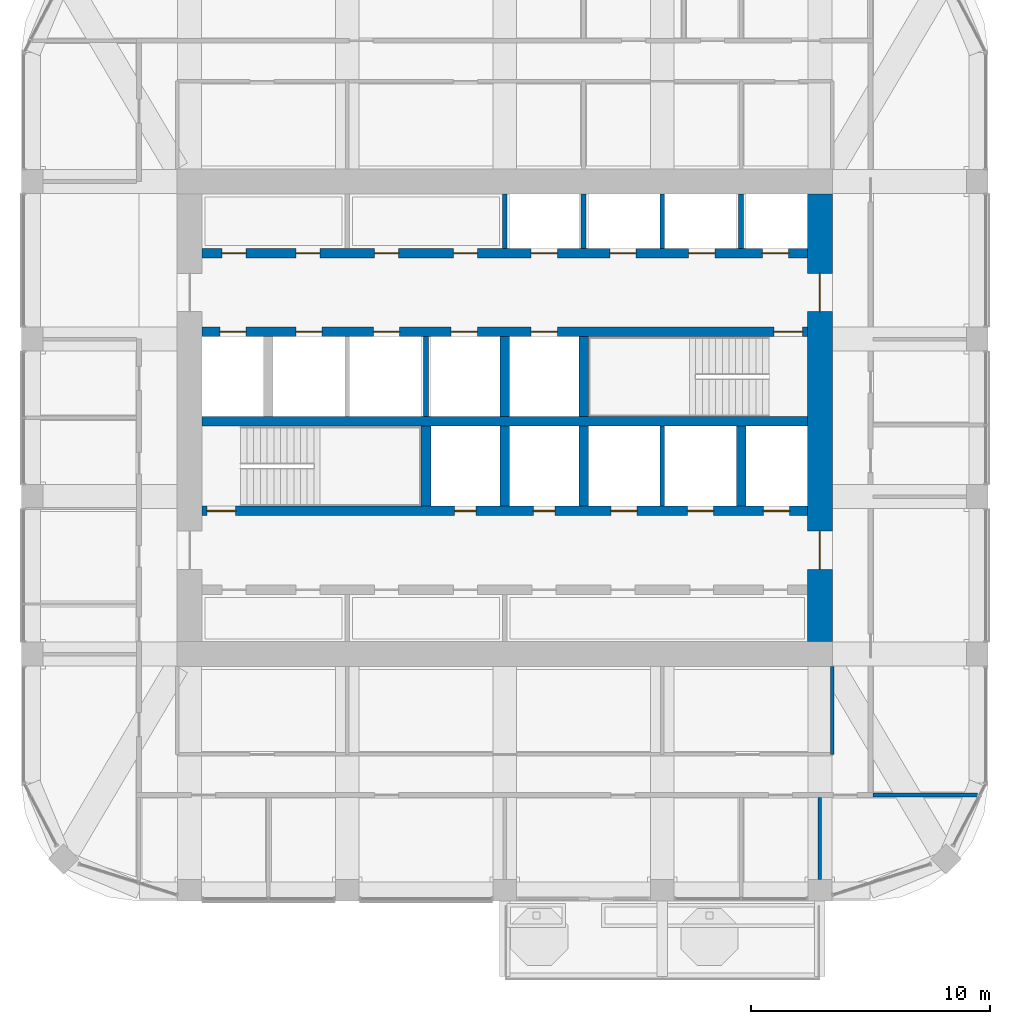
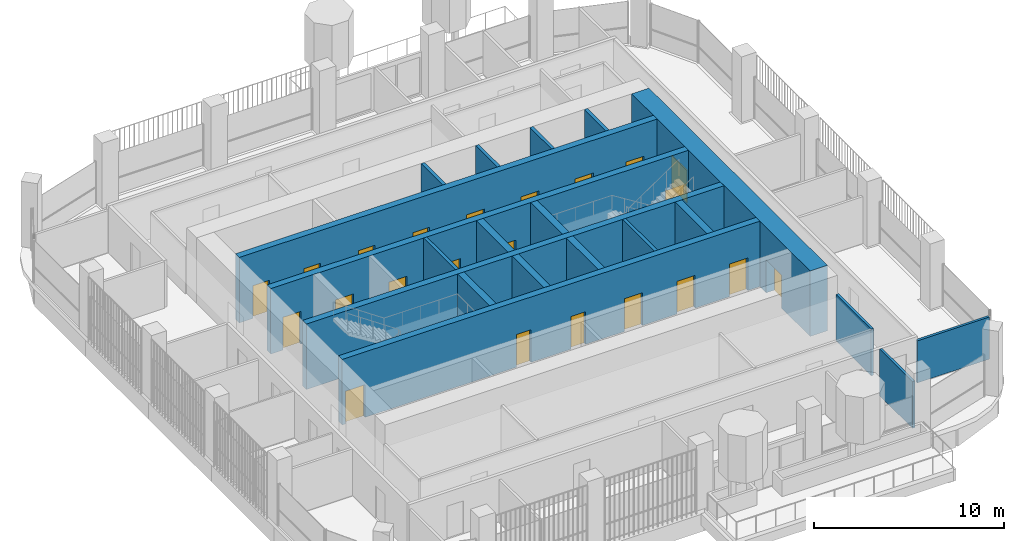
# One storey, part 15 of 21: 22 doors, 20 walls, 22 openings.
"""IFC4 building model written with IfcOpenShell, lengths in metres."""

from ifc_helpers import new_model, si_unit, direction, frame, frame_2d, origin, place, context, subcontext, project, spatial, rectangle, extrude, material, layer, layer_set, type_object, element, fill, save


model = new_model("IFC4")

# Units and contexts
model_context = context("Model", 3, precision=1e-05, world=origin(), true_north=direction((0.0, 1.0)))
body_context = subcontext(model_context, "Body", "Model", "MODEL_VIEW")
ifc_project = project(units=[si_unit("LENGTHUNIT", "METRE"), si_unit("AREAUNIT", "SQUARE_METRE"), si_unit("VOLUMEUNIT", "CUBIC_METRE"), si_unit("PLANEANGLEUNIT", "RADIAN"), si_unit("MASSUNIT", "GRAM", prefix="KILO")], contexts=[model_context])

# Site, building, storey
site_placement = place(None, origin())
site = spatial("IfcSite", under=ifc_project, at=site_placement, CompositionType="ELEMENT")
building_placement = place(site_placement, origin())
building = spatial("IfcBuilding", under=site, at=building_placement, Name="Cobogo Forest Laboratory Tower", CompositionType="ELEMENT")
storey_placement = place(building_placement, frame((0.0, 0.0, 283.800048828125)))
storey = spatial("IfcBuildingStorey", under=building, at=storey_placement, Name="L65", CompositionType="ELEMENT", Elevation=283.800048828125)

# Wall, openings, doors
ifc_material_1 = material(Name="Concrete HA-50 (C50/60)", Category="concrete")
ifc_layer_1 = layer(ifc_material_1, 0.39990234375)
ifc_layer_set_1 = layer_set([ifc_layer_1], Name="CI400 core inner wall 400")
wall_type_1 = type_object("IfcWallType", Name="CI400 core inner wall 400", PredefinedType="SHEAR", material=ifc_layer_set_1)
wall_1_placement = place(storey_placement, frame((13.72509765625, 19.199951171875, 0.0), z_axis=(0.0, 0.0, 1.0), x_axis=(1.0, 0.0, 0.0)))
wall_1 = element("IfcWall", 1, at=wall_1_placement, inside=storey, type_object=wall_type_1, Name="Core wall CI-19.2 L65", PredefinedType="SHEAR", context=body_context, shape_type="SweptSolid", body=[
    extrude(rectangle(XDim=25.349853515625, YDim=0.39990234375, at=frame_2d((12.6748046875, 0.0))), origin(), (0.0, 0.0, 1.0), 4.199951171875),
])
opening_1_placement = place(wall_1_placement, frame((10.574951171875, 0.0, 0.0)))
opening_1 = element("IfcOpeningElement", 2, at=opening_1_placement, cuts=wall_1, Name="Opening L65-D25", PredefinedType="OPENING", context=body_context, shape_type="SweptSolid", body=[
    extrude(rectangle(XDim=0.89990234375, YDim=2.10009765625, at=frame_2d((0.449951171875, 1.050048828125))), frame((0.0, 0.2099609375, 0.0), z_axis=(0.0, -1.0, 0.0), x_axis=(1.0, 0.0, 0.0)), (0.0, 0.0, 1.0), 0.419921875),
])
opening_2_placement = place(wall_1_placement, frame((13.875, 0.0, 0.0)))
opening_2 = element("IfcOpeningElement", 3, at=opening_2_placement, cuts=wall_1, Name="Opening L65-D26", PredefinedType="OPENING", context=body_context, shape_type="SweptSolid", body=[
    extrude(rectangle(XDim=0.89990234375, YDim=2.10009765625, at=frame_2d((0.449951171875, 1.050048828125))), frame((0.0, 0.2099609375, 0.0), z_axis=(0.0, -1.0, 0.0), x_axis=(1.0, 0.0, 0.0)), (0.0, 0.0, 1.0), 0.419921875),
])
opening_3_placement = place(wall_1_placement, frame((0.199951171875, 0.0, 0.0)))
opening_3 = element("IfcOpeningElement", 4, at=opening_3_placement, cuts=wall_1, Name="Opening L65-D24", PredefinedType="OPENING", context=body_context, shape_type="SweptSolid", body=[
    extrude(rectangle(XDim=1.199951171875, YDim=2.10009765625, at=frame_2d((0.60009765625, 1.050048828125))), frame((0.0, 0.2099609375, 0.0), z_axis=(0.0, -1.0, 0.0), x_axis=(1.0, 0.0, 0.0)), (0.0, 0.0, 1.0), 0.419921875),
])
opening_4_placement = place(wall_1_placement, frame((23.512451171875, 0.0, 0.0)))
opening_4 = element("IfcOpeningElement", 5, at=opening_4_placement, cuts=wall_1, Name="Opening L65-LD-FL2", PredefinedType="OPENING", context=body_context, shape_type="SweptSolid", body=[
    extrude(rectangle(XDim=1.10009765625, YDim=2.10009765625, at=frame_2d((0.550048828125, 1.050048828125))), frame((0.0, 0.2099609375, 0.0), z_axis=(0.0, -1.0, 0.0), x_axis=(1.0, 0.0, 0.0)), (0.0, 0.0, 1.0), 0.419921875),
])
opening_5_placement = place(wall_1_placement, frame((17.125, 0.0, 0.0)))
opening_5 = element("IfcOpeningElement", 6, at=opening_5_placement, cuts=wall_1, Name="Opening L65-LD-LS1", PredefinedType="OPENING", context=body_context, shape_type="SweptSolid", body=[
    extrude(rectangle(XDim=1.10009765625, YDim=2.10009765625, at=frame_2d((0.550048828125, 1.050048828125))), frame((0.0, 0.2099609375, 0.0), z_axis=(0.0, -1.0, 0.0), x_axis=(1.0, 0.0, 0.0)), (0.0, 0.0, 1.0), 0.419921875),
])
opening_6_placement = place(wall_1_placement, frame((20.324951171875, 0.0, 0.0)))
opening_6 = element("IfcOpeningElement", 7, at=opening_6_placement, cuts=wall_1, Name="Opening L65-LD-LS2", PredefinedType="OPENING", context=body_context, shape_type="SweptSolid", body=[
    extrude(rectangle(XDim=1.10009765625, YDim=2.10009765625, at=frame_2d((0.550048828125, 1.050048828125))), frame((0.0, 0.2099609375, 0.0), z_axis=(0.0, -1.0, 0.0), x_axis=(1.0, 0.0, 0.0)), (0.0, 0.0, 1.0), 0.419921875),
])
ifc_material_2 = material(Name="Steel fire door", Category="steel")
door_type_1 = type_object("IfcDoorType", Name="DS1 protected stair door 1200 EI2 60", OperationType="SINGLE_SWING_LEFT", PredefinedType="DOOR", material=ifc_material_2)
door_1_placement = place(opening_3_placement, origin())
door_1 = element("IfcDoor", 8, at=door_1_placement, inside=storey, type_object=door_type_1, Name="Door L65-ST1", OperationType="SINGLE_SWING_LEFT", OverallHeight=2.10009765625, OverallWidth=1.199951171875, PredefinedType="DOOR", context=body_context, shape_type="SweptSolid", body=[
    extrude(rectangle(XDim=1.199951171875, YDim=2.10009765625, at=frame_2d((0.60009765625, 1.050048828125))), frame((0.0, 0.02490234375, 0.0), z_axis=(0.0, -1.0, 0.0), x_axis=(1.0, 0.0, 0.0)), (0.0, 0.0, 1.0), 0.050048828125),
])
fill(opening_3, door_1)
door_type_2 = type_object("IfcDoorType", Name="FD4 riser access door 900 EI2 60", OperationType="SINGLE_SWING_LEFT", PredefinedType="DOOR", material=ifc_material_2)
door_2_placement = place(opening_1_placement, origin())
door_2 = element("IfcDoor", 9, at=door_2_placement, inside=storey, type_object=door_type_2, Name="Door L65-R1", OperationType="SINGLE_SWING_LEFT", OverallHeight=2.10009765625, OverallWidth=0.89990234375, PredefinedType="DOOR", context=body_context, shape_type="SweptSolid", body=[
    extrude(rectangle(XDim=0.89990234375, YDim=2.10009765625, at=frame_2d((0.449951171875, 1.050048828125))), frame((0.0, 0.02490234375, 0.0), z_axis=(0.0, -1.0, 0.0), x_axis=(1.0, 0.0, 0.0)), (0.0, 0.0, 1.0), 0.050048828125),
])
fill(opening_1, door_2)
door_3_placement = place(opening_2_placement, origin())
door_3 = element("IfcDoor", 10, at=door_3_placement, inside=storey, type_object=door_type_2, Name="Door L65-R2", OperationType="SINGLE_SWING_RIGHT", OverallHeight=2.10009765625, OverallWidth=0.89990234375, PredefinedType="DOOR", context=body_context, shape_type="SweptSolid", body=[
    extrude(rectangle(XDim=0.89990234375, YDim=2.10009765625, at=frame_2d((0.449951171875, 1.050048828125))), frame((0.0, 0.02490234375, 0.0), z_axis=(0.0, -1.0, 0.0), x_axis=(1.0, 0.0, 0.0)), (0.0, 0.0, 1.0), 0.050048828125),
])
fill(opening_2, door_3)
ifc_material_3 = material(Name="Stainless steel lift door", Category="steel")
door_type_3 = type_object("IfcDoorType", Name="LD lift landing door 1100", OperationType="DOUBLE_DOOR_SLIDING", PredefinedType="DOOR", material=ifc_material_3)
door_4_placement = place(opening_4_placement, origin())
door_4 = element("IfcDoor", 11, at=door_4_placement, inside=storey, type_object=door_type_3, Name="Lift landing door FL2 L65", OperationType="DOUBLE_DOOR_SLIDING", OverallHeight=2.10009765625, OverallWidth=1.10009765625, PredefinedType="DOOR", context=body_context, shape_type="SweptSolid", body=[
    extrude(rectangle(XDim=1.10009765625, YDim=2.10009765625, at=frame_2d((0.550048828125, 1.050048828125))), frame((0.0, 0.02490234375, 0.0), z_axis=(0.0, -1.0, 0.0), x_axis=(1.0, 0.0, 0.0)), (0.0, 0.0, 1.0), 0.050048828125),
])
fill(opening_4, door_4)
door_5_placement = place(opening_5_placement, origin())
door_5 = element("IfcDoor", 12, at=door_5_placement, inside=storey, type_object=door_type_3, Name="Lift landing door LS1 L65", OperationType="DOUBLE_DOOR_SLIDING", OverallHeight=2.10009765625, OverallWidth=1.10009765625, PredefinedType="DOOR", context=body_context, shape_type="SweptSolid", body=[
    extrude(rectangle(XDim=1.10009765625, YDim=2.10009765625, at=frame_2d((0.550048828125, 1.050048828125))), frame((0.0, 0.02490234375, 0.0), z_axis=(0.0, -1.0, 0.0), x_axis=(1.0, 0.0, 0.0)), (0.0, 0.0, 1.0), 0.050048828125),
])
fill(opening_5, door_5)
door_6_placement = place(opening_6_placement, origin())
door_6 = element("IfcDoor", 13, at=door_6_placement, inside=storey, type_object=door_type_3, Name="Lift landing door LS2 L65", OperationType="DOUBLE_DOOR_SLIDING", OverallHeight=2.10009765625, OverallWidth=1.10009765625, PredefinedType="DOOR", context=body_context, shape_type="SweptSolid", body=[
    extrude(rectangle(XDim=1.10009765625, YDim=2.10009765625, at=frame_2d((0.550048828125, 1.050048828125))), frame((0.0, 0.02490234375, 0.0), z_axis=(0.0, -1.0, 0.0), x_axis=(1.0, 0.0, 0.0)), (0.0, 0.0, 1.0), 0.050048828125),
])
fill(opening_6, door_6)

# Wall
wall_2_placement = place(storey_placement, frame((13.72509765625, 22.949951171875, 0.0), z_axis=(0.0, 0.0, 1.0), x_axis=(1.0, 0.0, 0.0)))
element("IfcWall", 14, at=wall_2_placement, inside=storey, type_object=wall_type_1, Name="Core wall CI-22.95 L65", PredefinedType="SHEAR", context=body_context, shape_type="SweptSolid", body=[
    extrude(rectangle(XDim=25.349853515625, YDim=0.39990234375, at=frame_2d((12.6748046875, 0.0))), origin(), (0.0, 0.0, 1.0), 4.199951171875),
])

# Wall, openings, doors
wall_3_placement = place(storey_placement, frame((13.72509765625, 26.699951171875, 0.0), z_axis=(0.0, 0.0, 1.0), x_axis=(1.0, 0.0, 0.0)))
wall_3 = element("IfcWall", 15, at=wall_3_placement, inside=storey, type_object=wall_type_1, Name="Core wall CI-26.7 L65", PredefinedType="SHEAR", context=body_context, shape_type="SweptSolid", body=[
    extrude(rectangle(XDim=25.349853515625, YDim=0.39990234375, at=frame_2d((12.6748046875, 0.0))), origin(), (0.0, 0.0, 1.0), 4.199951171875),
])
opening_7_placement = place(wall_3_placement, frame((23.949951171875, 0.0, 0.0)))
opening_7 = element("IfcOpeningElement", 16, at=opening_7_placement, cuts=wall_3, Name="Opening L65-D31", PredefinedType="OPENING", context=body_context, shape_type="SweptSolid", body=[
    extrude(rectangle(XDim=1.199951171875, YDim=2.10009765625, at=frame_2d((0.60009765625, 1.050048828125))), frame((0.0, 0.2099609375, 0.0), z_axis=(0.0, -1.0, 0.0), x_axis=(1.0, 0.0, 0.0)), (0.0, 0.0, 1.0), 0.419921875),
])
opening_8_placement = place(wall_3_placement, frame((0.737548828125, 0.0, 0.0)))
opening_8 = element("IfcOpeningElement", 17, at=opening_8_placement, cuts=wall_3, Name="Opening L65-LD-FL1", PredefinedType="OPENING", context=body_context, shape_type="SweptSolid", body=[
    extrude(rectangle(XDim=1.10009765625, YDim=2.10009765625, at=frame_2d((0.550048828125, 1.050048828125))), frame((0.0, 0.2099609375, 0.0), z_axis=(0.0, -1.0, 0.0), x_axis=(1.0, 0.0, 0.0)), (0.0, 0.0, 1.0), 0.419921875),
])
opening_9_placement = place(wall_3_placement, frame((3.925048828125, 0.0, 0.0)))
opening_9 = element("IfcOpeningElement", 18, at=opening_9_placement, cuts=wall_3, Name="Opening L65-LD-LS3", PredefinedType="OPENING", context=body_context, shape_type="SweptSolid", body=[
    extrude(rectangle(XDim=1.10009765625, YDim=2.10009765625, at=frame_2d((0.550048828125, 1.050048828125))), frame((0.0, 0.2099609375, 0.0), z_axis=(0.0, -1.0, 0.0), x_axis=(1.0, 0.0, 0.0)), (0.0, 0.0, 1.0), 0.419921875),
])
opening_10_placement = place(wall_3_placement, frame((7.175048828125, 0.0, 0.0)))
opening_10 = element("IfcOpeningElement", 19, at=opening_10_placement, cuts=wall_3, Name="Opening L65-LD-LS4", PredefinedType="OPENING", context=body_context, shape_type="SweptSolid", body=[
    extrude(rectangle(XDim=1.10009765625, YDim=2.10009765625, at=frame_2d((0.550048828125, 1.050048828125))), frame((0.0, 0.2099609375, 0.0), z_axis=(0.0, -1.0, 0.0), x_axis=(1.0, 0.0, 0.0)), (0.0, 0.0, 1.0), 0.419921875),
])
opening_11_placement = place(wall_3_placement, frame((10.425048828125, 0.0, 0.0)))
opening_11 = element("IfcOpeningElement", 20, at=opening_11_placement, cuts=wall_3, Name="Opening L65-LD-LS5", PredefinedType="OPENING", context=body_context, shape_type="SweptSolid", body=[
    extrude(rectangle(XDim=1.10009765625, YDim=2.10009765625, at=frame_2d((0.550048828125, 1.050048828125))), frame((0.0, 0.2099609375, 0.0), z_axis=(0.0, -1.0, 0.0), x_axis=(1.0, 0.0, 0.0)), (0.0, 0.0, 1.0), 0.419921875),
])
opening_12_placement = place(wall_3_placement, frame((13.77490234375, 0.0, 0.0)))
opening_12 = element("IfcOpeningElement", 21, at=opening_12_placement, cuts=wall_3, Name="Opening L65-LD-LS6", PredefinedType="OPENING", context=body_context, shape_type="SweptSolid", body=[
    extrude(rectangle(XDim=1.10009765625, YDim=2.10009765625, at=frame_2d((0.550048828125, 1.050048828125))), frame((0.0, 0.2099609375, 0.0), z_axis=(0.0, -1.0, 0.0), x_axis=(1.0, 0.0, 0.0)), (0.0, 0.0, 1.0), 0.419921875),
])
door_7_placement = place(opening_7_placement, origin())
door_7 = element("IfcDoor", 22, at=door_7_placement, inside=storey, type_object=door_type_1, Name="Door L65-ST2", OperationType="SINGLE_SWING_RIGHT", OverallHeight=2.10009765625, OverallWidth=1.199951171875, PredefinedType="DOOR", context=body_context, shape_type="SweptSolid", body=[
    extrude(rectangle(XDim=1.199951171875, YDim=2.10009765625, at=frame_2d((0.60009765625, 1.050048828125))), frame((0.0, 0.02490234375, 0.0), z_axis=(0.0, -1.0, 0.0), x_axis=(1.0, 0.0, 0.0)), (0.0, 0.0, 1.0), 0.050048828125),
])
fill(opening_7, door_7)
door_8_placement = place(opening_8_placement, origin())
door_8 = element("IfcDoor", 23, at=door_8_placement, inside=storey, type_object=door_type_3, Name="Lift landing door FL1 L65", OperationType="DOUBLE_DOOR_SLIDING", OverallHeight=2.10009765625, OverallWidth=1.10009765625, PredefinedType="DOOR", context=body_context, shape_type="SweptSolid", body=[
    extrude(rectangle(XDim=1.10009765625, YDim=2.10009765625, at=frame_2d((0.550048828125, 1.050048828125))), frame((0.0, 0.02490234375, 0.0), z_axis=(0.0, -1.0, 0.0), x_axis=(1.0, 0.0, 0.0)), (0.0, 0.0, 1.0), 0.050048828125),
])
fill(opening_8, door_8)
door_9_placement = place(opening_9_placement, origin())
door_9 = element("IfcDoor", 24, at=door_9_placement, inside=storey, type_object=door_type_3, Name="Lift landing door LS3 L65", OperationType="DOUBLE_DOOR_SLIDING", OverallHeight=2.10009765625, OverallWidth=1.10009765625, PredefinedType="DOOR", context=body_context, shape_type="SweptSolid", body=[
    extrude(rectangle(XDim=1.10009765625, YDim=2.10009765625, at=frame_2d((0.550048828125, 1.050048828125))), frame((0.0, 0.02490234375, 0.0), z_axis=(0.0, -1.0, 0.0), x_axis=(1.0, 0.0, 0.0)), (0.0, 0.0, 1.0), 0.050048828125),
])
fill(opening_9, door_9)
door_10_placement = place(opening_10_placement, origin())
door_10 = element("IfcDoor", 25, at=door_10_placement, inside=storey, type_object=door_type_3, Name="Lift landing door LS4 L65", OperationType="DOUBLE_DOOR_SLIDING", OverallHeight=2.10009765625, OverallWidth=1.10009765625, PredefinedType="DOOR", context=body_context, shape_type="SweptSolid", body=[
    extrude(rectangle(XDim=1.10009765625, YDim=2.10009765625, at=frame_2d((0.550048828125, 1.050048828125))), frame((0.0, 0.02490234375, 0.0), z_axis=(0.0, -1.0, 0.0), x_axis=(1.0, 0.0, 0.0)), (0.0, 0.0, 1.0), 0.050048828125),
])
fill(opening_10, door_10)
door_11_placement = place(opening_11_placement, origin())
door_11 = element("IfcDoor", 26, at=door_11_placement, inside=storey, type_object=door_type_3, Name="Lift landing door LS5 L65", OperationType="DOUBLE_DOOR_SLIDING", OverallHeight=2.10009765625, OverallWidth=1.10009765625, PredefinedType="DOOR", context=body_context, shape_type="SweptSolid", body=[
    extrude(rectangle(XDim=1.10009765625, YDim=2.10009765625, at=frame_2d((0.550048828125, 1.050048828125))), frame((0.0, 0.02490234375, 0.0), z_axis=(0.0, -1.0, 0.0), x_axis=(1.0, 0.0, 0.0)), (0.0, 0.0, 1.0), 0.050048828125),
])
fill(opening_11, door_11)
door_12_placement = place(opening_12_placement, origin())
door_12 = element("IfcDoor", 27, at=door_12_placement, inside=storey, type_object=door_type_3, Name="Lift landing door LS6 L65", OperationType="DOUBLE_DOOR_SLIDING", OverallHeight=2.10009765625, OverallWidth=1.10009765625, PredefinedType="DOOR", context=body_context, shape_type="SweptSolid", body=[
    extrude(rectangle(XDim=1.10009765625, YDim=2.10009765625, at=frame_2d((0.550048828125, 1.050048828125))), frame((0.0, 0.02490234375, 0.0), z_axis=(0.0, -1.0, 0.0), x_axis=(1.0, 0.0, 0.0)), (0.0, 0.0, 1.0), 0.050048828125),
])
fill(opening_12, door_12)

wall_4_placement = place(storey_placement, frame((13.72509765625, 30.0, 0.0), z_axis=(0.0, 0.0, 1.0), x_axis=(1.0, 0.0, 0.0)))
wall_4 = element("IfcWall", 28, at=wall_4_placement, inside=storey, type_object=wall_type_1, Name="Core wall CI-30.0 L65", PredefinedType="SHEAR", context=body_context, shape_type="SweptSolid", body=[
    extrude(rectangle(XDim=25.349853515625, YDim=0.39990234375, at=frame_2d((12.6748046875, 0.0))), origin(), (0.0, 0.0, 1.0), 4.199951171875),
])
opening_13_placement = place(wall_4_placement, frame((0.83740234375, 0.0, 0.0)))
opening_13 = element("IfcOpeningElement", 29, at=opening_13_placement, cuts=wall_4, Name="Opening L65-D34", PredefinedType="OPENING", context=body_context, shape_type="SweptSolid", body=[
    extrude(rectangle(XDim=1.0, YDim=2.10009765625, at=frame_2d((0.5, 1.050048828125))), frame((0.0, 0.2099609375, 0.0), z_axis=(0.0, -1.0, 0.0), x_axis=(1.0, 0.0, 0.0)), (0.0, 0.0, 1.0), 0.419921875),
])
opening_14_placement = place(wall_4_placement, frame((3.925048828125, 0.0, 0.0)))
opening_14 = element("IfcOpeningElement", 30, at=opening_14_placement, cuts=wall_4, Name="Opening L65-D35", PredefinedType="OPENING", context=body_context, shape_type="SweptSolid", body=[
    extrude(rectangle(XDim=1.0, YDim=2.10009765625, at=frame_2d((0.5, 1.050048828125))), frame((0.0, 0.2099609375, 0.0), z_axis=(0.0, -1.0, 0.0), x_axis=(1.0, 0.0, 0.0)), (0.0, 0.0, 1.0), 0.419921875),
])
opening_15_placement = place(wall_4_placement, frame((7.22509765625, 0.0, 0.0)))
opening_15 = element("IfcOpeningElement", 31, at=opening_15_placement, cuts=wall_4, Name="Opening L65-D36", PredefinedType="OPENING", context=body_context, shape_type="SweptSolid", body=[
    extrude(rectangle(XDim=1.0, YDim=2.10009765625, at=frame_2d((0.5, 1.050048828125))), frame((0.0, 0.2099609375, 0.0), z_axis=(0.0, -1.0, 0.0), x_axis=(1.0, 0.0, 0.0)), (0.0, 0.0, 1.0), 0.419921875),
])
opening_16_placement = place(wall_4_placement, frame((10.52490234375, 0.0, 0.0)))
opening_16 = element("IfcOpeningElement", 32, at=opening_16_placement, cuts=wall_4, Name="Opening L65-D37", PredefinedType="OPENING", context=body_context, shape_type="SweptSolid", body=[
    extrude(rectangle(XDim=1.0, YDim=2.10009765625, at=frame_2d((0.5, 1.050048828125))), frame((0.0, 0.2099609375, 0.0), z_axis=(0.0, -1.0, 0.0), x_axis=(1.0, 0.0, 0.0)), (0.0, 0.0, 1.0), 0.419921875),
])
opening_17_placement = place(wall_4_placement, frame((13.77490234375, 0.0, 0.0)))
opening_17 = element("IfcOpeningElement", 33, at=opening_17_placement, cuts=wall_4, Name="Opening L65-LD-LD1", PredefinedType="OPENING", context=body_context, shape_type="SweptSolid", body=[
    extrude(rectangle(XDim=1.10009765625, YDim=2.10009765625, at=frame_2d((0.550048828125, 1.050048828125))), frame((0.0, 0.2099609375, 0.0), z_axis=(0.0, -1.0, 0.0), x_axis=(1.0, 0.0, 0.0)), (0.0, 0.0, 1.0), 0.419921875),
])
opening_18_placement = place(wall_4_placement, frame((17.074951171875, 0.0, 0.0)))
opening_18 = element("IfcOpeningElement", 34, at=opening_18_placement, cuts=wall_4, Name="Opening L65-LD-LD2", PredefinedType="OPENING", context=body_context, shape_type="SweptSolid", body=[
    extrude(rectangle(XDim=1.10009765625, YDim=2.10009765625, at=frame_2d((0.550048828125, 1.050048828125))), frame((0.0, 0.2099609375, 0.0), z_axis=(0.0, -1.0, 0.0), x_axis=(1.0, 0.0, 0.0)), (0.0, 0.0, 1.0), 0.419921875),
])
opening_19_placement = place(wall_4_placement, frame((20.375, 0.0, 0.0)))
opening_19 = element("IfcOpeningElement", 35, at=opening_19_placement, cuts=wall_4, Name="Opening L65-LD-LD3", PredefinedType="OPENING", context=body_context, shape_type="SweptSolid", body=[
    extrude(rectangle(XDim=1.10009765625, YDim=2.10009765625, at=frame_2d((0.550048828125, 1.050048828125))), frame((0.0, 0.2099609375, 0.0), z_axis=(0.0, -1.0, 0.0), x_axis=(1.0, 0.0, 0.0)), (0.0, 0.0, 1.0), 0.419921875),
])
opening_20_placement = place(wall_4_placement, frame((23.46240234375, 0.0, 0.0)))
opening_20 = element("IfcOpeningElement", 36, at=opening_20_placement, cuts=wall_4, Name="Opening L65-LD-LD4", PredefinedType="OPENING", context=body_context, shape_type="SweptSolid", body=[
    extrude(rectangle(XDim=1.10009765625, YDim=2.10009765625, at=frame_2d((0.550048828125, 1.050048828125))), frame((0.0, 0.2099609375, 0.0), z_axis=(0.0, -1.0, 0.0), x_axis=(1.0, 0.0, 0.0)), (0.0, 0.0, 1.0), 0.419921875),
])
door_type_4 = type_object("IfcDoorType", Name="FD1 fire door 1000 EI2 60", OperationType="SINGLE_SWING_LEFT", PredefinedType="DOOR", material=ifc_material_2)
door_13_placement = place(opening_13_placement, origin())
door_13 = element("IfcDoor", 37, at=door_13_placement, inside=storey, type_object=door_type_4, Name="Door L65-SH-LC1", OperationType="SINGLE_SWING_LEFT", OverallHeight=2.10009765625, OverallWidth=1.0, PredefinedType="DOOR", context=body_context, shape_type="SweptSolid", body=[
    extrude(rectangle(XDim=1.0, YDim=2.10009765625, at=frame_2d((0.5, 1.050048828125))), frame((0.0, 0.02490234375, 0.0), z_axis=(0.0, -1.0, 0.0), x_axis=(1.0, 0.0, 0.0)), (0.0, 0.0, 1.0), 0.050048828125),
])
fill(opening_13, door_13)
door_14_placement = place(opening_14_placement, origin())
door_14 = element("IfcDoor", 38, at=door_14_placement, inside=storey, type_object=door_type_4, Name="Door L65-SH-LC2", OperationType="SINGLE_SWING_LEFT", OverallHeight=2.10009765625, OverallWidth=1.0, PredefinedType="DOOR", context=body_context, shape_type="SweptSolid", body=[
    extrude(rectangle(XDim=1.0, YDim=2.10009765625, at=frame_2d((0.5, 1.050048828125))), frame((0.0, 0.02490234375, 0.0), z_axis=(0.0, -1.0, 0.0), x_axis=(1.0, 0.0, 0.0)), (0.0, 0.0, 1.0), 0.050048828125),
])
fill(opening_14, door_14)
door_15_placement = place(opening_15_placement, origin())
door_15 = element("IfcDoor", 39, at=door_15_placement, inside=storey, type_object=door_type_4, Name="Door L65-SH-LC3", OperationType="SINGLE_SWING_LEFT", OverallHeight=2.10009765625, OverallWidth=1.0, PredefinedType="DOOR", context=body_context, shape_type="SweptSolid", body=[
    extrude(rectangle(XDim=1.0, YDim=2.10009765625, at=frame_2d((0.5, 1.050048828125))), frame((0.0, 0.02490234375, 0.0), z_axis=(0.0, -1.0, 0.0), x_axis=(1.0, 0.0, 0.0)), (0.0, 0.0, 1.0), 0.050048828125),
])
fill(opening_15, door_15)
door_16_placement = place(opening_16_placement, origin())
door_16 = element("IfcDoor", 40, at=door_16_placement, inside=storey, type_object=door_type_4, Name="Door L65-SH-LC4", OperationType="SINGLE_SWING_LEFT", OverallHeight=2.10009765625, OverallWidth=1.0, PredefinedType="DOOR", context=body_context, shape_type="SweptSolid", body=[
    extrude(rectangle(XDim=1.0, YDim=2.10009765625, at=frame_2d((0.5, 1.050048828125))), frame((0.0, 0.02490234375, 0.0), z_axis=(0.0, -1.0, 0.0), x_axis=(1.0, 0.0, 0.0)), (0.0, 0.0, 1.0), 0.050048828125),
])
fill(opening_16, door_16)
door_17_placement = place(opening_17_placement, origin())
door_17 = element("IfcDoor", 41, at=door_17_placement, inside=storey, type_object=door_type_3, Name="Lift landing door LD1 L65", OperationType="DOUBLE_DOOR_SLIDING", OverallHeight=2.10009765625, OverallWidth=1.10009765625, PredefinedType="DOOR", context=body_context, shape_type="SweptSolid", body=[
    extrude(rectangle(XDim=1.10009765625, YDim=2.10009765625, at=frame_2d((0.550048828125, 1.050048828125))), frame((0.0, 0.02490234375, 0.0), z_axis=(0.0, -1.0, 0.0), x_axis=(1.0, 0.0, 0.0)), (0.0, 0.0, 1.0), 0.050048828125),
])
fill(opening_17, door_17)
door_18_placement = place(opening_18_placement, origin())
door_18 = element("IfcDoor", 42, at=door_18_placement, inside=storey, type_object=door_type_3, Name="Lift landing door LD2 L65", OperationType="DOUBLE_DOOR_SLIDING", OverallHeight=2.10009765625, OverallWidth=1.10009765625, PredefinedType="DOOR", context=body_context, shape_type="SweptSolid", body=[
    extrude(rectangle(XDim=1.10009765625, YDim=2.10009765625, at=frame_2d((0.550048828125, 1.050048828125))), frame((0.0, 0.02490234375, 0.0), z_axis=(0.0, -1.0, 0.0), x_axis=(1.0, 0.0, 0.0)), (0.0, 0.0, 1.0), 0.050048828125),
])
fill(opening_18, door_18)
door_19_placement = place(opening_19_placement, origin())
door_19 = element("IfcDoor", 43, at=door_19_placement, inside=storey, type_object=door_type_3, Name="Lift landing door LD3 L65", OperationType="DOUBLE_DOOR_SLIDING", OverallHeight=2.10009765625, OverallWidth=1.10009765625, PredefinedType="DOOR", context=body_context, shape_type="SweptSolid", body=[
    extrude(rectangle(XDim=1.10009765625, YDim=2.10009765625, at=frame_2d((0.550048828125, 1.050048828125))), frame((0.0, 0.02490234375, 0.0), z_axis=(0.0, -1.0, 0.0), x_axis=(1.0, 0.0, 0.0)), (0.0, 0.0, 1.0), 0.050048828125),
])
fill(opening_19, door_19)
door_20_placement = place(opening_20_placement, origin())
door_20 = element("IfcDoor", 44, at=door_20_placement, inside=storey, type_object=door_type_3, Name="Lift landing door LD4 L65", OperationType="DOUBLE_DOOR_SLIDING", OverallHeight=2.10009765625, OverallWidth=1.10009765625, PredefinedType="DOOR", context=body_context, shape_type="SweptSolid", body=[
    extrude(rectangle(XDim=1.10009765625, YDim=2.10009765625, at=frame_2d((0.550048828125, 1.050048828125))), frame((0.0, 0.02490234375, 0.0), z_axis=(0.0, -1.0, 0.0), x_axis=(1.0, 0.0, 0.0)), (0.0, 0.0, 1.0), 0.050048828125),
])
fill(opening_20, door_20)

# Walls
for number, where, z_axis, x_axis, name in (
    (45, (23.10009765625, 19.39990234375, 0.0), (0.0, 0.0, 1.0), (0.0, 1.0, 0.0), "Core wall CX-23.1 L65"),
    (46, (26.39990234375, 19.39990234375, 0.0), (0.0, 0.0, 1.0), (0.0, 1.0, 0.0), "Core wall CX-26.4S L65"),
    (47, (29.699951171875, 19.39990234375, 0.0), (0.0, 0.0, 1.0), (0.0, 1.0, 0.0), "Core wall CX-29.7S L65"),
    (48, (36.300048828125, 19.39990234375, 0.0), (0.0, 0.0, 1.0), (0.0, 1.0, 0.0), "Core wall CX-36.3 L65"),
    (49, (26.39990234375, 23.14990234375, 0.0), (0.0, 0.0, 1.0), (0.0, 1.0, 0.0), "Core wall CX-26.4N L65"),
    (50, (29.699951171875, 23.14990234375, 0.0), (0.0, 0.0, 1.0), (0.0, 1.0, 0.0), "Core wall CX-29.7N L65"),
):
    element("IfcWall", number, at=place(storey_placement, frame(where, z_axis=z_axis, x_axis=x_axis)), inside=storey, type_object=wall_type_1, Name=name, PredefinedType="SHEAR", context=body_context, shape_type="SweptSolid", body=[
        extrude(rectangle(XDim=3.35009765625, YDim=0.39990234375, at=frame_2d((1.675048828125, 0.0))), origin(), (0.0, 0.0, 1.0), 4.199951171875),
    ])

# Wall, openings, doors
ifc_layer_2 = layer(ifc_material_1, 1.050048828125)
ifc_layer_set_2 = layer_set([ifc_layer_2], Name="CW1050 core outer wall 1050")
wall_type_2 = type_object("IfcWallType", Name="CW1050 core outer wall 1050", PredefinedType="SHEAR", material=ifc_layer_set_2)
wall_5_placement = place(storey_placement, frame((39.60009765625, 13.72509765625, 0.0), z_axis=(0.0, 0.0, 1.0), x_axis=(0.0, 1.0, 0.0)))
wall_5 = element("IfcWall", 51, at=wall_5_placement, inside=storey, type_object=wall_type_2, Name="Core wall CO-E L65", PredefinedType="SHEAR", context=body_context, shape_type="SweptSolid", body=[
    extrude(rectangle(XDim=18.75, YDim=1.050048828125, at=frame_2d((9.375, 0.0))), origin(), (0.0, 0.0, 1.0), 4.199951171875),
])
opening_21_placement = place(wall_5_placement, frame((3.02490234375, 0.0, 0.0)))
opening_21 = element("IfcOpeningElement", 52, at=opening_21_placement, cuts=wall_5, Name="Opening L65-D23", PredefinedType="OPENING", context=body_context, shape_type="SweptSolid", body=[
    extrude(rectangle(XDim=1.60009765625, YDim=2.10009765625, at=frame_2d((0.800048828125, 1.050048828125))), frame((0.0, 0.534912109375, 0.0), z_axis=(0.0, -1.0, 0.0), x_axis=(1.0, 0.0, 0.0)), (0.0, 0.0, 1.0), 1.070068359375),
])
opening_22_placement = place(wall_5_placement, frame((13.824951171875, 0.0, 0.0)))
opening_22 = element("IfcOpeningElement", 53, at=opening_22_placement, cuts=wall_5, Name="Opening L65-D33", PredefinedType="OPENING", context=body_context, shape_type="SweptSolid", body=[
    extrude(rectangle(XDim=1.60009765625, YDim=2.10009765625, at=frame_2d((0.800048828125, 1.050048828125))), frame((0.0, 0.534912109375, 0.0), z_axis=(0.0, -1.0, 0.0), x_axis=(1.0, 0.0, 0.0)), (0.0, 0.0, 1.0), 1.070068359375),
])
door_type_5 = type_object("IfcDoorType", Name="DS2 protected lobby door pair 1600 EI2 60", OperationType="DOUBLE_DOOR_DOUBLE_SWING", PredefinedType="DOOR", material=ifc_material_2)
door_21_placement = place(opening_21_placement, origin())
door_21 = element("IfcDoor", 54, at=door_21_placement, inside=storey, type_object=door_type_5, Name="Door L65-CO-E-S", OperationType="DOUBLE_DOOR_DOUBLE_SWING", OverallHeight=2.10009765625, OverallWidth=1.60009765625, PredefinedType="DOOR", context=body_context, shape_type="SweptSolid", body=[
    extrude(rectangle(XDim=1.60009765625, YDim=2.10009765625, at=frame_2d((0.800048828125, 1.050048828125))), frame((0.0, 0.02490234375, 0.0), z_axis=(0.0, -1.0, 0.0), x_axis=(1.0, 0.0, 0.0)), (0.0, 0.0, 1.0), 0.050048828125),
])
fill(opening_21, door_21)
door_22_placement = place(opening_22_placement, origin())
door_22 = element("IfcDoor", 55, at=door_22_placement, inside=storey, type_object=door_type_5, Name="Door L65-CO-E-N", OperationType="DOUBLE_DOOR_DOUBLE_SWING", OverallHeight=2.10009765625, OverallWidth=1.60009765625, PredefinedType="DOOR", context=body_context, shape_type="SweptSolid", body=[
    extrude(rectangle(XDim=1.60009765625, YDim=2.10009765625, at=frame_2d((0.800048828125, 1.050048828125))), frame((0.0, 0.02490234375, 0.0), z_axis=(0.0, -1.0, 0.0), x_axis=(1.0, 0.0, 0.0)), (0.0, 0.0, 1.0), 0.050048828125),
])
fill(opening_22, door_22)

# Walls
ifc_material_4 = material(Name="Gypsum board on steel studs", Category="steel")
ifc_layer_3 = layer(ifc_material_4, 0.14990234375)
ifc_layer_set_3 = layer_set([ifc_layer_3], Name="PT1 laboratory partition 150")
wall_type_3 = type_object("IfcWallType", Name="PT1 laboratory partition 150", PredefinedType="PARTITIONING", material=ifc_layer_set_3)
wall_6_placement = place(storey_placement, frame((40.125, 12.675048828125, 0.0), z_axis=(0.0, 0.0, 1.0), x_axis=(0.0, -1.0, 0.0)))
element("IfcWall", 56, at=wall_6_placement, inside=storey, type_object=wall_type_3, Name="Partition CSTRIP-SE L65", PredefinedType="PARTITIONING", context=body_context, shape_type="SweptSolid", body=[
    extrude(rectangle(XDim=3.675048828125, YDim=0.14990234375, at=frame_2d((1.83740234375, 0.0))), origin(), (0.0, 0.0, 1.0), 3.0),
])
wall_7_placement = place(storey_placement, frame((46.197509765625, 7.300048828125, 0.0), z_axis=(0.0, 0.0, 1.0), x_axis=(-1.0, 0.0, 0.0)))
element("IfcWall", 57, at=wall_7_placement, inside=storey, type_object=wall_type_3, Name="Partition PW-SE L65", PredefinedType="PARTITIONING", context=body_context, shape_type="SweptSolid", body=[
    extrude(rectangle(XDim=4.37255859375, YDim=0.14990234375, at=frame_2d((2.186279296875, 0.0))), origin(), (0.0, 0.0, 1.0), 2.699951171875),
])
wall_8_placement = place(storey_placement, frame((39.60009765625, 3.75, 0.0), z_axis=(0.0, 0.0, 1.0), x_axis=(0.0, 1.0, 0.0)))
element("IfcWall", 58, at=wall_8_placement, inside=storey, type_object=wall_type_3, Name="Partition CUT-S39.6-1 L65", PredefinedType="PARTITIONING", context=body_context, shape_type="SweptSolid", body=[
    extrude(rectangle(XDim=3.449951171875, YDim=0.14990234375, at=frame_2d((1.72509765625, 0.0))), origin(), (0.0, 0.0, 1.0), 3.0),
])
ifc_material_5 = material(Name="Concrete block", Category="concrete")
ifc_layer_4 = layer(ifc_material_5, 0.199951171875)
ifc_layer_set_4 = layer_set([ifc_layer_4], Name="SW200 lift shaft separator 200")
wall_type_4 = type_object("IfcWallType", Name="SW200 lift shaft separator 200", PredefinedType="PARTITIONING", material=ifc_layer_set_4)
for number, where, z_axis, x_axis, name in (
    (59, (26.39990234375, 30.199951171875, 0.0), (0.0, 0.0, 1.0), (0.0, 1.0, 0.0), "Core wall SEP-N4 L65"),
    (60, (29.699951171875, 30.199951171875, 0.0), (0.0, 0.0, 1.0), (0.0, 1.0, 0.0), "Core wall SEP-N5 L65"),
    (61, (33.0, 30.199951171875, 0.0), (0.0, 0.0, 1.0), (0.0, 1.0, 0.0), "Core wall SEP-N6 L65"),
    (62, (36.300048828125, 30.199951171875, 0.0), (0.0, 0.0, 1.0), (0.0, 1.0, 0.0), "Core wall SEP-N7 L65"),
):
    element("IfcWall", number, at=place(storey_placement, frame(where, z_axis=z_axis, x_axis=x_axis)), inside=storey, type_object=wall_type_4, Name=name, PredefinedType="PARTITIONING", context=body_context, shape_type="SweptSolid", body=[
        extrude(rectangle(XDim=2.275146484375, YDim=0.199951171875, at=frame_2d((1.1376953125, 0.0))), origin(), (0.0, 0.0, 1.0), 4.199951171875),
    ])
for number, where, z_axis, x_axis, name in (
    (63, (33.0, 19.39990234375, 0.0), (0.0, 0.0, 1.0), (0.0, 1.0, 0.0), "Core wall SEP-M33.0 L65"),
    (64, (23.10009765625, 23.14990234375, 0.0), (0.0, 0.0, 1.0), (0.0, 1.0, 0.0), "Core wall SEP-M23.1 L65"),
):
    element("IfcWall", number, at=place(storey_placement, frame(where, z_axis=z_axis, x_axis=x_axis)), inside=storey, type_object=wall_type_4, Name=name, PredefinedType="PARTITIONING", context=body_context, shape_type="SweptSolid", body=[
        extrude(rectangle(XDim=3.35009765625, YDim=0.199951171875, at=frame_2d((1.675048828125, 0.0))), origin(), (0.0, 0.0, 1.0), 4.199951171875),
    ])

save(model, "model.ifc")
